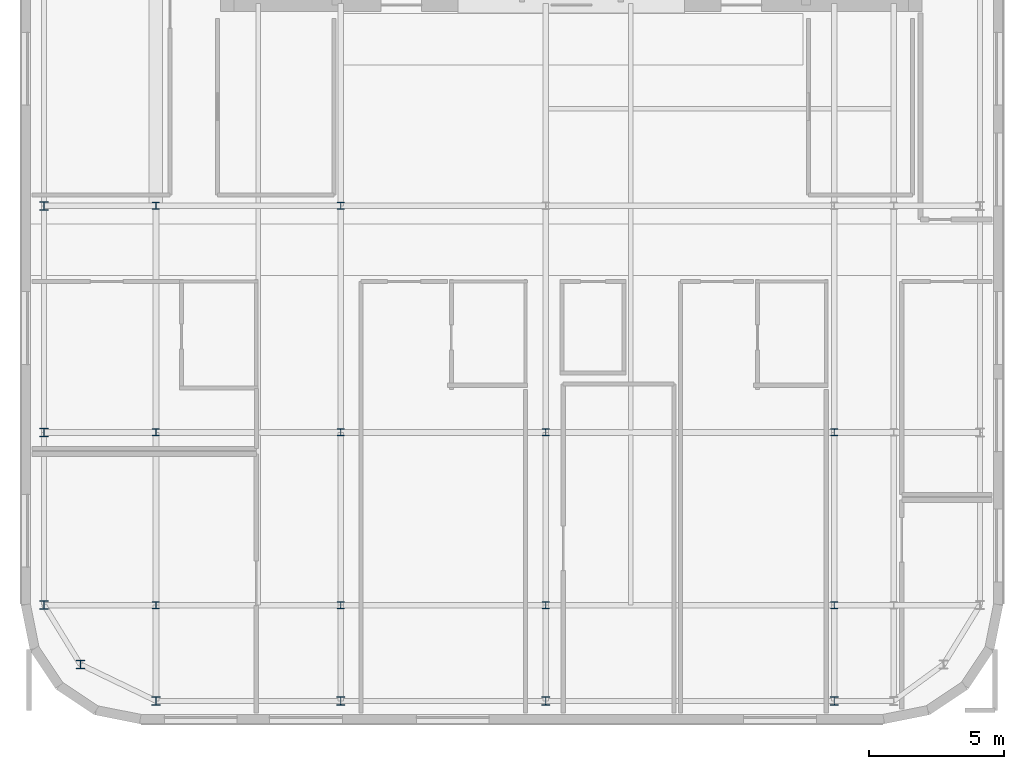
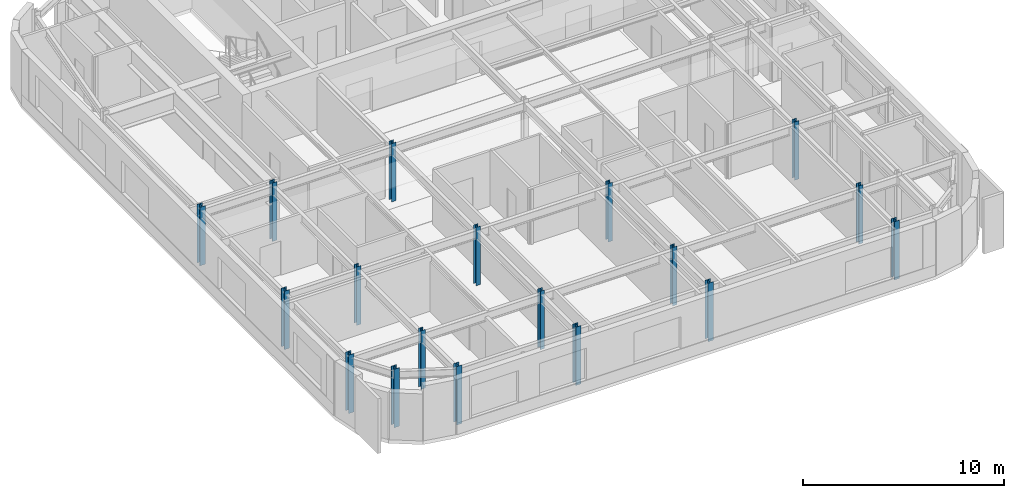
# One storey, part 1 of 15: 18 columns.
"""IFC4 building model written with IfcOpenShell, lengths in metres."""

import ifcopenshell
import ifcopenshell.guid

model = None  # the IFC model being written
_history = None  # IfcOwnerHistory: only IFC2X3 demands one
_inside = {}  # id of a spatial element -> (the spatial element, [elements in it])
_under = {}  # id of a project, library or spatial element -> (it, [spatial elements below it])
_declared = {}  # id of a project -> (the project, [libraries it declares])
_typed = {}  # id of a type object -> (the type object, [elements of that type])
_made_of = {}  # id of a material, layer set ... -> (it, [elements and type objects made of it])


def new_model(schema):
    """Start an empty IFC model of exactly this schema.

    Asked for "IFC4X3", IfcOpenShell would pick the latest addendum, in which some entities
    have other attributes; the version numbers below select the first issue.
    IFC2X3 requires an IfcOwnerHistory on every rooted entity: one is made here for all.
    """
    global model, _history
    if schema == "IFC4X3":
        model = ifcopenshell.file(schema_version=(4, 3, 0, 0))
    else:
        model = ifcopenshell.file(schema=schema)
    _inside.clear()
    _under.clear()
    _declared.clear()
    _typed.clear()
    _made_of.clear()
    _history = None
    if model.schema == "IFC2X3":
        org = make("IfcOrganization", Name="unknown")
        user = make(
            "IfcPersonAndOrganization",
            ThePerson=make("IfcPerson", FamilyName="unknown"),
            TheOrganization=org,
        )
        app = make(
            "IfcApplication",
            ApplicationDeveloper=org,
            Version="unknown",
            ApplicationFullName="unknown",
            ApplicationIdentifier="unknown",
        )
        _history = make(
            "IfcOwnerHistory",
            OwningUser=user,
            OwningApplication=app,
            ChangeAction="ADDED",
            CreationDate=0,
        )
    return model


def make(cls, **values):
    """One entity of the class cls with the attributes given. An attribute that is None is left unset."""
    return model.create_entity(
        cls, **{name: value for name, value in values.items() if value is not None}
    )


def rooted(cls, **values):
    """An entity with a GlobalId (a new one), such as an element, a storey or a relation."""
    return make(cls, GlobalId=ifcopenshell.guid.new(), OwnerHistory=_history, **values)


def si_unit(unit_type, name, prefix=None):
    """IfcSIUnit, for example si_unit("LENGTHUNIT", "METRE", prefix="MILLI")."""
    return make("IfcSIUnit", UnitType=unit_type, Prefix=prefix, Name=name)


def assignment(units):
    """IfcUnitAssignment: the units of a project."""
    return None if units is None else make("IfcUnitAssignment", Units=units)


def point(xyz):
    """IfcCartesianPoint."""
    return None if xyz is None else make("IfcCartesianPoint", Coordinates=xyz)


def direction(xyz):
    """IfcDirection."""
    return None if xyz is None else make("IfcDirection", DirectionRatios=xyz)


def frame(location, z_axis=None, x_axis=None):
    """IfcAxis2Placement3D, a coordinate frame: its origin and axes. An axis left out is left unset."""
    return make(
        "IfcAxis2Placement3D",
        Location=point(location),
        Axis=direction(z_axis),
        RefDirection=direction(x_axis),
    )


def frame_2d(location, x_axis=None):
    """IfcAxis2Placement2D, a coordinate frame in the plane: its origin and x axis."""
    return make(
        "IfcAxis2Placement2D", Location=point(location), RefDirection=direction(x_axis)
    )


def origin():
    """The frame at (0, 0, 0) with its axes left unset."""
    return frame((0.0, 0.0, 0.0))


def origin_2d():
    """The frame at (0, 0) in the plane with its x axis left unset."""
    return frame_2d((0.0, 0.0))


def place(relative_to, where):
    """IfcLocalPlacement: puts the frame where relative to a parent placement (None: the world)."""
    return make(
        "IfcLocalPlacement", PlacementRelTo=relative_to, RelativePlacement=where
    )


def context(
    kind, dimensions, precision=None, world=None, true_north=None, identifier=None
):
    """IfcGeometricRepresentationContext, for example the 3D "Model" context."""
    return make(
        "IfcGeometricRepresentationContext",
        ContextIdentifier=identifier,
        ContextType=kind,
        CoordinateSpaceDimension=dimensions,
        Precision=precision,
        WorldCoordinateSystem=world,
        TrueNorth=true_north,
    )


def subcontext(parent, identifier, kind, view, scale=None):
    """IfcGeometricRepresentationSubContext, for example "Body" below "Model"."""
    return make(
        "IfcGeometricRepresentationSubContext",
        ContextIdentifier=identifier,
        ContextType=kind,
        ParentContext=parent,
        TargetScale=scale,
        TargetView=view,
    )


def project(units=None, contexts=None):
    """IfcProject with its units and contexts."""
    return rooted(
        "IfcProject",
        Name="project",
        RepresentationContexts=contexts,
        UnitsInContext=assignment(units),
    )


def spatial(cls, under=None, at=None, **own):
    """A site, building, storey or space (cls), placed at a placement, below another one or the project."""
    s = rooted(cls, ObjectPlacement=at, **own)
    if under is not None:
        _under.setdefault(under.id(), (under, []))[1].append(s)
    return s


def profile(cls, at=None, kind="AREA", **sizes):
    """A parametric profile (cls). Its sizes go by their IFC names, for example OverallWidth=200.0."""
    return make(cls, ProfileType=kind, Position=at, **sizes)


def i_section(**sizes):
    """IfcIShapeProfileDef."""
    return profile("IfcIShapeProfileDef", **sizes)


def extrude(swept, where, along, depth):
    """IfcExtrudedAreaSolid: the profile swept, set in the frame where, extruded along a direction by depth."""
    return make(
        "IfcExtrudedAreaSolid",
        SweptArea=swept,
        Position=where,
        ExtrudedDirection=direction(along),
        Depth=depth,
    )


def shape(context_of_items, identifier, shape_type, items):
    """IfcShapeRepresentation: the items that make up one representation, for example the "Body"."""
    return make(
        "IfcShapeRepresentation",
        ContextOfItems=context_of_items,
        RepresentationIdentifier=identifier,
        RepresentationType=shape_type,
        Items=items,
    )


def source(mapping_origin, context_of_items, identifier, shape_type, items):
    """IfcRepresentationMap: a shape defined once, which mapped items show again and again."""
    return make(
        "IfcRepresentationMap",
        MappingOrigin=mapping_origin,
        MappedRepresentation=shape(context_of_items, identifier, shape_type, items),
    )


def transform(
    local_origin,
    x_axis=None,
    y_axis=None,
    z_axis=None,
    scale=None,
    scale2=None,
    scale3=None,
    uniform=True,
):
    """IfcCartesianTransformationOperator3D, or its non-uniform kind. x_axis, y_axis, z_axis: its Axis1, 2, 3."""
    if uniform:
        return make(
            "IfcCartesianTransformationOperator3D",
            Axis1=direction(x_axis),
            Axis2=direction(y_axis),
            LocalOrigin=point(local_origin),
            Scale=scale,
            Axis3=direction(z_axis),
        )
    return make(
        "IfcCartesianTransformationOperator3DnonUniform",
        Axis1=direction(x_axis),
        Axis2=direction(y_axis),
        LocalOrigin=point(local_origin),
        Scale=scale,
        Axis3=direction(z_axis),
        Scale2=scale2,
        Scale3=scale3,
    )


def mapped(mapping_source, mapping_target):
    """IfcMappedItem: shows the shape of a source again, moved by a transform."""
    return make(
        "IfcMappedItem", MappingSource=mapping_source, MappingTarget=mapping_target
    )


def material(Name=None, Category=None):
    """IfcMaterial."""
    return make("IfcMaterial", Name=Name, Category=Category)


def material_profile(
    of_material, cross_section, Name=None, Category=None, Priority=None
):
    """IfcMaterialProfile: a cross section and its material."""
    return make(
        "IfcMaterialProfile",
        Name=Name,
        Material=of_material,
        Profile=cross_section,
        Priority=Priority,
        Category=Category,
    )


def profile_set(profiles, Name=None, composite=None):
    """IfcMaterialProfileSet."""
    return make(
        "IfcMaterialProfileSet",
        Name=Name,
        MaterialProfiles=profiles,
        CompositeProfile=composite,
    )


def made_of(thing, what):
    """Note that an element or type object is made of a material, layer set ...; save() writes the relation."""
    if what is not None:
        _made_of.setdefault(what.id(), (what, []))[1].append(thing)
    return thing


def type_object(cls, material=None, **own):
    """A type object (cls), such as IfcWallType, which elements share."""
    return made_of(rooted(cls, **own), material)


def type_shapes(of_type, sources):
    """Give a type object the sources (RepresentationMaps) that its elements show as mapped items."""
    of_type.RepresentationMaps = sources


def element(
    cls,
    number,
    at=None,
    inside=None,
    cuts=None,
    type_object=None,
    material=None,
    context=None,
    identifier="Body",
    shape_type=None,
    held_by="IfcProductDefinitionShape",
    body=None,
    shapes=None,
    **own,
):
    """One element of the class cls, such as IfcWall. Its Tag is "e" and its number.

    at: its placement. inside: the storey or other place that contains it. cuts: it is an
    opening in that element (IfcRelVoidsElement). A single representation is given by context,
    identifier, shape_type and body (its items); several are given by shapes. held_by: the class
    of the entity that holds the representations. save() writes the other relations.
    """
    e = rooted(cls, Tag="e%d" % number, ObjectPlacement=at, **own)
    if body is not None:
        shapes = [shape(context, identifier, shape_type, body)]
    if shapes is not None:
        e.Representation = make(held_by, Representations=shapes)
    if inside is not None:
        _inside.setdefault(inside.id(), (inside, []))[1].append(e)
    if cuts is not None:
        rooted(
            "IfcRelVoidsElement", RelatingBuildingElement=cuts, RelatedOpeningElement=e
        )
    if type_object is not None:
        _typed.setdefault(type_object.id(), (type_object, []))[1].append(e)
    return made_of(e, material)


def aggregate(whole, parts):
    """IfcRelAggregates: a whole, such as a stair, and the parts it consists of."""
    return rooted("IfcRelAggregates", RelatingObject=whole, RelatedObjects=parts)


def save(model, path):
    """Write the relations noted so far, then the file.

    IfcRelAggregates (storeys below a building ...), IfcRelContainedInSpatialStructure (elements
    in a storey), IfcRelDefinesByType, IfcRelAssociatesMaterial and IfcRelDeclares: one each for
    every whole, place, type object, material and project.
    """
    for whole, parts in _under.values():
        aggregate(whole, parts)
    for where, things in _inside.values():
        rooted(
            "IfcRelContainedInSpatialStructure",
            RelatedElements=things,
            RelatingStructure=where,
        )
    for kind, things in _typed.values():
        rooted("IfcRelDefinesByType", RelatedObjects=things, RelatingType=kind)
    for what, things in _made_of.values():
        rooted("IfcRelAssociatesMaterial", RelatedObjects=things, RelatingMaterial=what)
    for by, libraries in _declared.values():
        rooted("IfcRelDeclares", RelatingContext=by, RelatedDefinitions=libraries)
    model.write(path)


model = new_model("IFC4")

# Units and contexts
model_context = context("Model", 3, precision=1e-05, world=origin(), true_north=direction((0.0, 1.0)))
body_context = subcontext(model_context, "Body", "Model", "MODEL_VIEW")
ifc_project = project(units=[si_unit("LENGTHUNIT", "METRE"), si_unit("AREAUNIT", "SQUARE_METRE"), si_unit("VOLUMEUNIT", "CUBIC_METRE"), si_unit("PLANEANGLEUNIT", "RADIAN"), si_unit("MASSUNIT", "GRAM", prefix="KILO")], contexts=[model_context])

# Site, building, storey
site_placement = place(None, origin())
site = spatial("IfcSite", under=ifc_project, at=site_placement, CompositionType="ELEMENT")
building_placement = place(site_placement, origin())
building = spatial("IfcBuilding", under=site, at=building_placement, Name="Tolvann Quenvar Hotel", CompositionType="ELEMENT")
storey_placement = place(building_placement, frame((0.0, 0.0, 278.60009765625)))
storey = spatial("IfcBuildingStorey", under=building, at=storey_placement, Name="L74", CompositionType="ELEMENT", Elevation=278.60009765625)

# Columns
ifc_material = material(Name="Steel Grade 350", Category="steel")
ifc_material_profile_1 = material_profile(ifc_material, i_section(OverallWidth=0.306884765625, OverallDepth=0.31494140625, WebThickness=0.011962890625, FlangeThickness=0.018798828125, FilletRadius=0.0166015625, at=origin_2d()), Name="310UC118")
ifc_profile_set_1 = profile_set([ifc_material_profile_1], Name="Steel Grade 350")
column_type_1 = type_object("IfcColumnType", Name="COL_310UC118", PredefinedType="COLUMN", material=ifc_profile_set_1)
shared_shape_1 = source(origin(), body_context, "Body", "SweptSolid", [
    extrude(i_section(OverallWidth=0.306884765625, OverallDepth=0.31494140625, WebThickness=0.011962890625, FlangeThickness=0.018798828125, FilletRadius=0.0166015625, at=origin_2d()), origin(), (0.0, 0.0, 1.0), 3.5498046875),
])
type_shapes(column_type_1, [shared_shape_1])
for number, where, z_axis, x_axis, name in (
    (1, (4.800048828125, 7.39990234375, 0.0), (0.0, 0.0, 1.0), (1.0, 0.0, 0.0), "Column B2 (L74)"),
    (2, (3.449951171875, 9.60009765625, 0.0), (0.0, 0.0, 1.0), (1.0, 0.0, 0.0), "Column B3 (L74)"),
    (3, (3.449951171875, 16.0, 0.0), (0.0, 0.0, 1.0), (1.0, 0.0, 0.0), "Column B4 (L74)"),
    (4, (3.449951171875, 24.39990234375, 0.0), (0.0, 0.0, 1.0), (1.0, 0.0, 0.0), "Column B5 (L74)"),
    (5, (7.60009765625, 6.050048828125, 0.0), (0.0, 0.0, 1.0), (1.0, 0.0, 0.0), "Column C2 (L74)"),
    (6, (14.449951171875, 6.050048828125, 0.0), (0.0, 0.0, 1.0), (1.0, 0.0, 0.0), "Column D2 (L74)"),
    (7, (22.050048828125, 6.050048828125, 0.0), (0.0, 0.0, 1.0), (1.0, 0.0, 0.0), "Column E2 (L74)"),
    (8, (32.75, 6.050048828125, 0.0), (0.0, 0.0, 1.0), (1.0, 0.0, 0.0), "Column FP2 (L74)"),
):
    element("IfcColumn", number, at=place(storey_placement, frame(where, z_axis=z_axis, x_axis=x_axis)), inside=storey, type_object=column_type_1, Name=name, PredefinedType="COLUMN", context=body_context, shape_type="MappedRepresentation", body=[
        mapped(shared_shape_1, transform((0.0, 0.0, 0.0), x_axis=(1.0, 0.0, 0.0), y_axis=(0.0, 1.0, 0.0), z_axis=(0.0, 0.0, 1.0), scale=1.0)),
    ])
ifc_material_profile_2 = material_profile(ifc_material, i_section(OverallWidth=0.256103515625, OverallDepth=0.260009765625, WebThickness=0.010498046875, FlangeThickness=0.017333984375, FilletRadius=0.013916015625, at=origin_2d()), Name="250UC90")
ifc_profile_set_2 = profile_set([ifc_material_profile_2], Name="Steel Grade 350")
column_type_2 = type_object("IfcColumnType", Name="COL_250UC90", PredefinedType="COLUMN", material=ifc_profile_set_2)
shared_shape_2 = source(origin(), body_context, "Body", "SweptSolid", [
    extrude(i_section(OverallWidth=0.256103515625, OverallDepth=0.260009765625, WebThickness=0.010498046875, FlangeThickness=0.017333984375, FilletRadius=0.013916015625, at=origin_2d()), origin(), (0.0, 0.0, 1.0), 3.5498046875),
])
type_shapes(column_type_2, [shared_shape_2])
for number, where, z_axis, x_axis, name in (
    (9, (7.60009765625, 9.60009765625, 0.0), (0.0, 0.0, 1.0), (1.0, 0.0, 0.0), "Column C3 (L74)"),
    (10, (7.60009765625, 16.0, 0.0), (0.0, 0.0, 1.0), (1.0, 0.0, 0.0), "Column C4 (L74)"),
    (11, (7.60009765625, 24.39990234375, 0.0), (0.0, 0.0, 1.0), (1.0, 0.0, 0.0), "Column C5 (L74)"),
    (12, (14.449951171875, 9.60009765625, 0.0), (0.0, 0.0, 1.0), (1.0, 0.0, 0.0), "Column D3 (L74)"),
    (13, (14.449951171875, 16.0, 0.0), (0.0, 0.0, 1.0), (1.0, 0.0, 0.0), "Column D4 (L74)"),
    (14, (14.449951171875, 24.39990234375, 0.0), (0.0, 0.0, 1.0), (1.0, 0.0, 0.0), "Column D5 (L74)"),
    (15, (22.050048828125, 9.60009765625, 0.0), (0.0, 0.0, 1.0), (1.0, 0.0, 0.0), "Column E3 (L74)"),
    (16, (22.050048828125, 16.0, 0.0), (0.0, 0.0, 1.0), (1.0, 0.0, 0.0), "Column E4 (L74)"),
    (17, (32.75, 9.60009765625, 0.0), (0.0, 0.0, 1.0), (1.0, 0.0, 0.0), "Column FP3 (L74)"),
    (18, (32.75, 16.0, 0.0), (0.0, 0.0, 1.0), (1.0, 0.0, 0.0), "Column FP4 (L74)"),
):
    element("IfcColumn", number, at=place(storey_placement, frame(where, z_axis=z_axis, x_axis=x_axis)), inside=storey, type_object=column_type_2, Name=name, PredefinedType="COLUMN", context=body_context, shape_type="MappedRepresentation", body=[
        mapped(shared_shape_2, transform((0.0, 0.0, 0.0), x_axis=(1.0, 0.0, 0.0), y_axis=(0.0, 1.0, 0.0), z_axis=(0.0, 0.0, 1.0), scale=1.0)),
    ])

save(model, "model.ifc")
